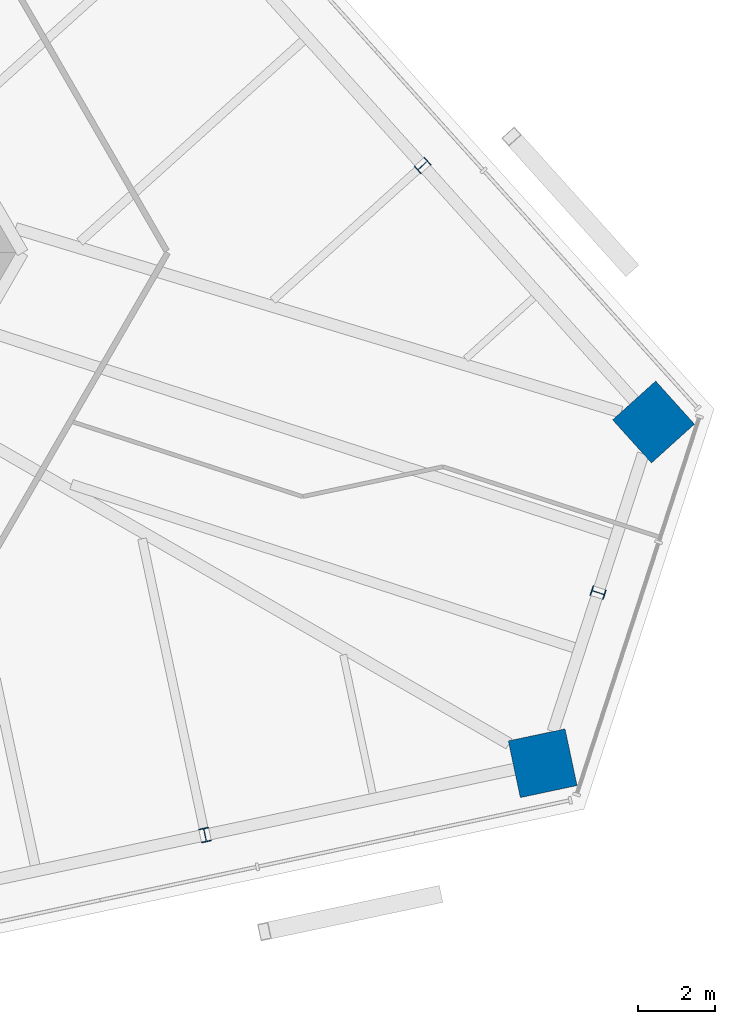
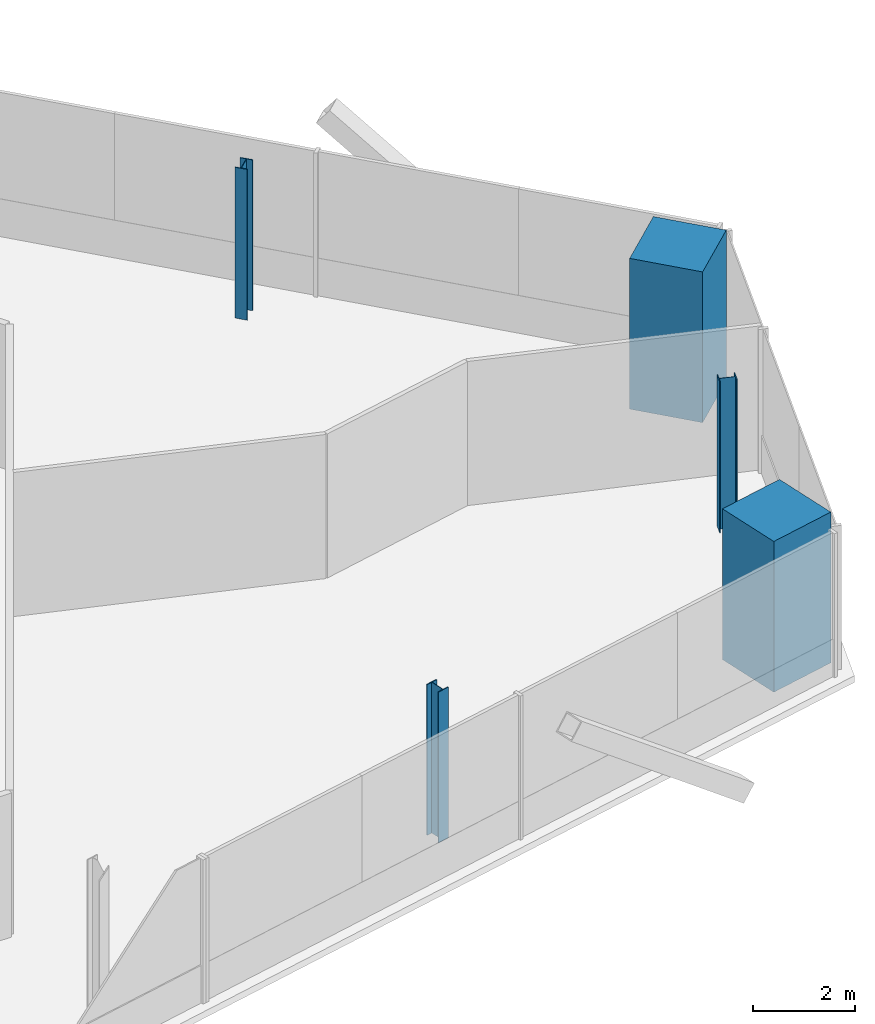
# One storey, part 2 of 14: 5 columns.
"""IFC4 building model written with IfcOpenShell, lengths in metres."""

from ifc_helpers import new_model, si_unit, direction, frame, origin, origin_2d, place, context, subcontext, project, spatial, rectangle, i_section, extrude, source, transform, mapped, material, material_profile, profile_set, type_object, element, save


model = new_model("IFC4")

# Units and contexts
model_context = context("Model", 3, precision=1e-05, world=origin(), true_north=direction((0.0, 1.0)))
body_context = subcontext(model_context, "Body", "Model", "MODEL_VIEW")
ifc_project = project(units=[si_unit("LENGTHUNIT", "METRE"), si_unit("AREAUNIT", "SQUARE_METRE"), si_unit("VOLUMEUNIT", "CUBIC_METRE"), si_unit("PLANEANGLEUNIT", "RADIAN"), si_unit("MASSUNIT", "GRAM", prefix="KILO")], contexts=[model_context])

# Site, building, storey
site_placement = place(None, origin())
site = spatial("IfcSite", under=ifc_project, at=site_placement, CompositionType="ELEMENT")
building_placement = place(site_placement, origin())
building = spatial("IfcBuilding", under=site, at=building_placement, Name="Triune Harvest Tower", CompositionType="ELEMENT")
storey_placement = place(building_placement, frame((0.0, 0.0, 263.10009765625)))
storey = spatial("IfcBuildingStorey", under=building, at=storey_placement, Name="L69", CompositionType="ELEMENT", Elevation=263.10009765625)

# Columns
ifc_material_1 = material(Name="Concrete 70 MPa", Category="concrete")
ifc_material_profile_1 = material_profile(ifc_material_1, rectangle(XDim=1.5, YDim=1.5, at=origin_2d()), Name="Composite 1500x1500")
ifc_profile_set_1 = profile_set([ifc_material_profile_1], Name="Concrete 70 MPa")
column_type_1 = type_object("IfcColumnType", Name="MC-7 Mega column Composite 1500x1500", PredefinedType="COLUMN", material=ifc_profile_set_1)
shared_shape_1 = source(origin(), body_context, "Body", "SweptSolid", [
    extrude(rectangle(XDim=1.5, YDim=1.5, at=origin_2d()), origin(), (0.0, 0.0, 1.0), 3.599853515625),
])
for number, where, z_axis, x_axis, name in (
    (1, (28.4931640625, -4.379150390625, 0.0), (0.0, 0.0, 1.0), (-0.669130606359, 0.743144825477, 0.0), "col/L69/M0"),
    (2, (25.62548828125, -13.205078125, 0.0), (0.0, 0.0, 1.0), (0.978147237858, 0.207913398007, 0.0), "col/L69/M19"),
):
    element("IfcColumn", number, at=place(storey_placement, frame(where, z_axis=z_axis, x_axis=x_axis)), inside=storey, type_object=column_type_1, Name=name, PredefinedType="COLUMN", context=body_context, shape_type="MappedRepresentation", body=[
        mapped(shared_shape_1, transform((0.0, 0.0, 0.0), scale=1.0)),
    ])
ifc_material_2 = material(Name="Steel ASTM A992 Gr 50", Category="steel")
ifc_material_profile_2 = material_profile(ifc_material_2, i_section(OverallWidth=0.256591796875, OverallDepth=0.360595703125, WebThickness=0.011474609375, FlangeThickness=0.02001953125, at=origin_2d()), Name="W14x74")
ifc_profile_set_2 = profile_set([ifc_material_profile_2], Name="Steel ASTM A992 Gr 50")
column_type_2 = type_object("IfcColumnType", Name="PC-7 Perimeter column W14x74", PredefinedType="COLUMN", material=ifc_profile_set_2)
shared_shape_2 = source(origin(), body_context, "Body", "SweptSolid", [
    extrude(i_section(OverallWidth=0.256591796875, OverallDepth=0.360595703125, WebThickness=0.011474609375, FlangeThickness=0.02001953125, at=origin_2d()), origin(), (0.0, 0.0, 1.0), 3.599853515625),
])
for number, where, z_axis, x_axis, name in (
    (3, (22.519287109375, 2.255615234375, 0.0), (0.0, 0.0, 1.0), (-0.669130606359, 0.743144825477, 0.0), "col/L69/P1"),
    (4, (16.892578125, -15.061279296875, 0.0), (0.0, 0.0, 1.0), (0.978147237858, 0.207913398007, 0.0), "col/L69/P18"),
    (5, (27.059326171875, -8.7919921875, 0.0), (0.0, 0.0, 1.0), (0.309016994375, 0.951056516295, 0.0), "col/L69/P20"),
):
    element("IfcColumn", number, at=place(storey_placement, frame(where, z_axis=z_axis, x_axis=x_axis)), inside=storey, type_object=column_type_2, Name=name, PredefinedType="COLUMN", context=body_context, shape_type="MappedRepresentation", body=[
        mapped(shared_shape_2, transform((0.0, 0.0, 0.0), scale=1.0)),
    ])

save(model, "model.ifc")
